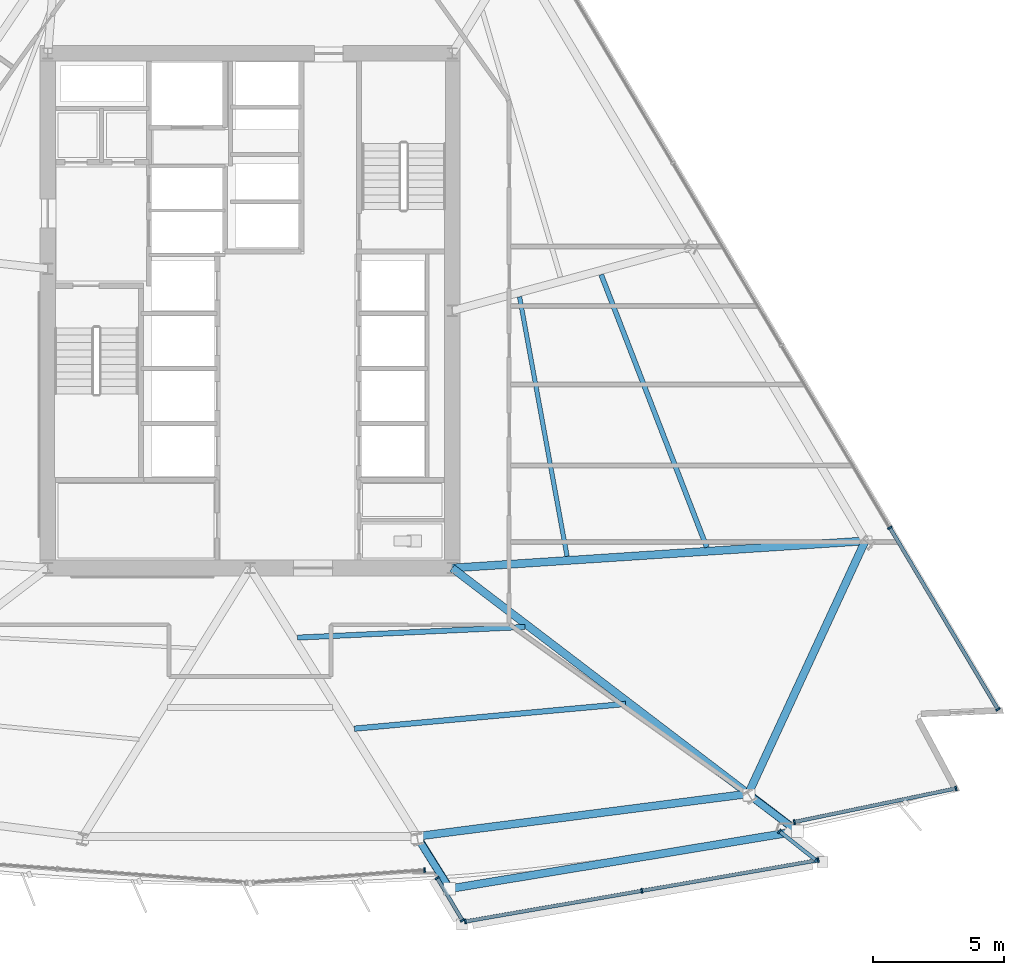
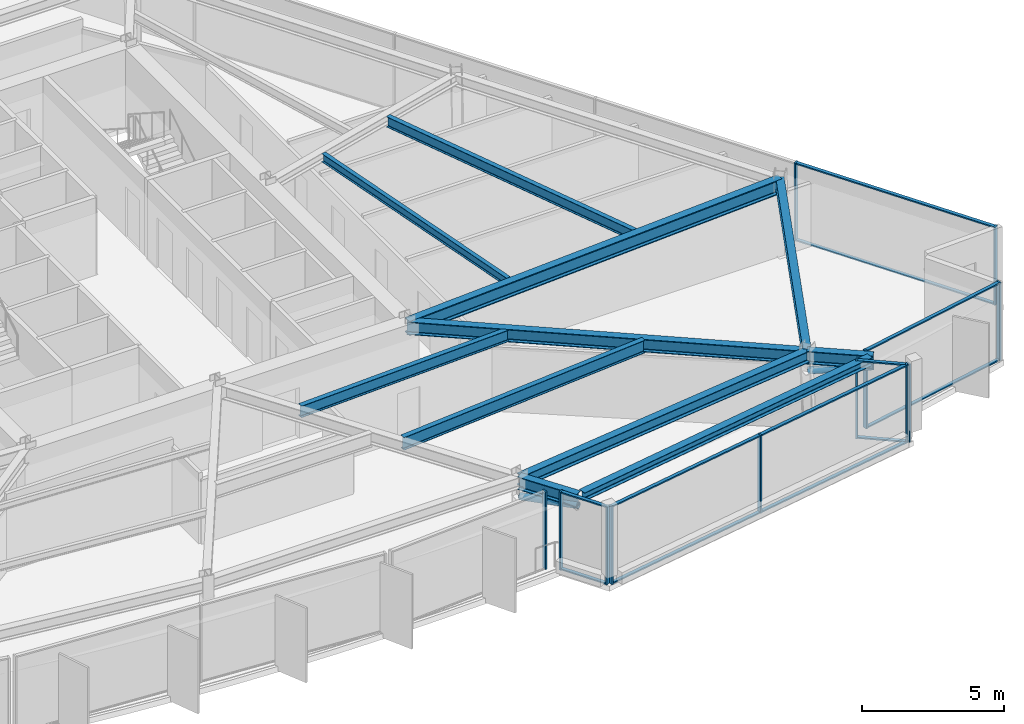
# One storey, part 4 of 15: 26 members, 11 beams, 6 elements without a shape of their own.
"""IFC4 building model written with IfcOpenShell, lengths in metres."""

from ifc_helpers import new_model, si_unit, direction, frame, origin, origin_2d, place, context, subcontext, project, spatial, rectangle, hollow_circle, i_section, extrude, material, material_profile, profile_set, type_object, element, aggregate, save


model = new_model("IFC4")

# Units and contexts
model_context = context("Model", 3, precision=1e-05, world=origin(), true_north=direction((0.0, 1.0)))
body_context = subcontext(model_context, "Body", "Model", "MODEL_VIEW")
ifc_project = project(units=[si_unit("LENGTHUNIT", "METRE"), si_unit("AREAUNIT", "SQUARE_METRE"), si_unit("VOLUMEUNIT", "CUBIC_METRE"), si_unit("PLANEANGLEUNIT", "RADIAN"), si_unit("MASSUNIT", "GRAM", prefix="KILO")], contexts=[model_context])

# Site, building, storey
site_placement = place(None, origin())
site = spatial("IfcSite", under=ifc_project, at=site_placement, CompositionType="ELEMENT")
building_placement = place(site_placement, origin())
building = spatial("IfcBuilding", under=site, at=building_placement, Name="Savorim Split Tower", CompositionType="ELEMENT")
storey_placement = place(building_placement, frame((0.0, 0.0, 93.300048828125)))
storey = spatial("IfcBuildingStorey", under=building, at=storey_placement, Name="L24", CompositionType="ELEMENT", Elevation=93.300048828125)

# Beams
ifc_material_1 = material(Name="Steel S355", Category="steel")
ifc_material_profile_1 = material_profile(ifc_material_1, i_section(OverallWidth=0.169921875, OverallDepth=0.360107421875, WebThickness=0.008056640625, FlangeThickness=0.0126953125, FilletRadius=0.01806640625, at=origin_2d()), Name="IPE 360")
ifc_profile_set_1 = profile_set([ifc_material_profile_1], Name="Steel S355")
beam_type_1 = type_object("IfcBeamType", Name="BM-JST-IPE360", PredefinedType="JOIST", material=ifc_profile_set_1)
beam_1_placement = place(storey_placement, frame((12.074951171875, -8.953125, 3.169921875), z_axis=(-0.180198179148, 0.983630324986, 0.0), x_axis=(-0.983630324986, -0.180198179148, 0.0)))
element("IfcBeam", 1, at=beam_1_placement, inside=storey, type_object=beam_type_1, Name="L24 Secondary Floor Joist JS-08", PredefinedType="JOIST", context=body_context, shape_type="SweptSolid", body=[
    extrude(i_section(OverallWidth=0.169921875, OverallDepth=0.360107421875, WebThickness=0.008056640625, FlangeThickness=0.0126953125, FilletRadius=0.01806640625, at=origin_2d()), origin(), (0.0, 0.0, 1.0), 10.047607421875),
])
ifc_material_profile_2 = material_profile(ifc_material_1, i_section(OverallWidth=0.18994140625, OverallDepth=0.449951171875, WebThickness=0.009521484375, FlangeThickness=0.0146484375, FilletRadius=0.02099609375, at=origin_2d()), Name="IPE 450")
ifc_profile_set_2 = profile_set([ifc_material_profile_2], Name="Steel S355")
beam_type_2 = type_object("IfcBeamType", Name="BM-JST-IPE450", PredefinedType="JOIST", material=ifc_profile_set_2)
beam_2_placement = place(storey_placement, frame((17.393310546875, -8.610107421875, 3.125), z_axis=(-0.36114972536, 0.932507842258, 0.0), x_axis=(-0.932507842258, -0.36114972536, 0.0)))
element("IfcBeam", 2, at=beam_2_placement, inside=storey, type_object=beam_type_2, Name="L24 Secondary Floor Joist JS-06", PredefinedType="JOIST", context=body_context, shape_type="SweptSolid", body=[
    extrude(i_section(OverallWidth=0.18994140625, OverallDepth=0.449951171875, WebThickness=0.009521484375, FlangeThickness=0.0146484375, FilletRadius=0.02099609375, at=origin_2d()), origin(), (0.0, 0.0, 1.0), 11.134521484375),
])
ifc_material_profile_3 = material_profile(ifc_material_1, i_section(OverallWidth=0.199951171875, OverallDepth=0.5, WebThickness=0.01025390625, FlangeThickness=0.01611328125, FilletRadius=0.02099609375, at=origin_2d()), Name="IPE 500")
ifc_profile_set_3 = profile_set([ifc_material_profile_3], Name="Steel S355")
beam_type_3 = type_object("IfcBeamType", Name="BM-JST-IPE500", PredefinedType="JOIST", material=ifc_profile_set_3)
beam_3_placement = place(storey_placement, frame((1.81298828125, -12.04931640625, 3.099853515625), z_axis=(0.99890235083, 0.046841151856, 0.0), x_axis=(-0.046841151856, 0.99890235083, 0.0)))
element("IfcBeam", 3, at=beam_3_placement, inside=storey, type_object=beam_type_3, Name="L24 Secondary Floor Joist JS-05", PredefinedType="JOIST", context=body_context, shape_type="SweptSolid", body=[
    extrude(i_section(OverallWidth=0.199951171875, OverallDepth=0.5, WebThickness=0.01025390625, FlangeThickness=0.01611328125, FilletRadius=0.02099609375, at=origin_2d()), origin(), (0.0, 0.0, 1.0), 8.667724609375),
])
ifc_material_profile_4 = material_profile(ifc_material_1, i_section(OverallWidth=0.2099609375, OverallDepth=0.550048828125, WebThickness=0.010986328125, FlangeThickness=0.01708984375, FilletRadius=0.02392578125, at=origin_2d()), Name="IPE 550")
ifc_profile_set_4 = profile_set([ifc_material_profile_4], Name="Steel S355")
beam_type_4 = type_object("IfcBeamType", Name="BM-JST-IPE550", PredefinedType="JOIST", material=ifc_profile_set_4)
beam_4_placement = place(storey_placement, frame((3.974609375, -15.5166015625, 3.074951171875), z_axis=(0.995860344892, 0.090896498676, 0.0), x_axis=(-0.090896498676, 0.995860344892, 0.0)))
element("IfcBeam", 4, at=beam_4_placement, inside=storey, type_object=beam_type_4, Name="L24 Secondary Floor Joist JS-04", PredefinedType="JOIST", context=body_context, shape_type="SweptSolid", body=[
    extrude(i_section(OverallWidth=0.2099609375, OverallDepth=0.550048828125, WebThickness=0.010986328125, FlangeThickness=0.01708984375, FilletRadius=0.02392578125, at=origin_2d()), origin(), (0.0, 0.0, 1.0), 10.373046875),
])
ifc_material_profile_5 = material_profile(ifc_material_1, i_section(OverallWidth=0.300048828125, OverallDepth=0.550048828125, WebThickness=0.014892578125, FlangeThickness=0.029052734375, FilletRadius=0.027099609375, at=origin_2d()), Name="HEB 550")
ifc_profile_set_5 = profile_set([ifc_material_profile_5], Name="Steel S355")
beam_type_5 = type_object("IfcBeamType", Name="BM-PRI-HEB550", PredefinedType="BEAM", material=ifc_profile_set_5)
beam_5_placement = place(storey_placement, frame((18.973388671875, -17.998779296875, 3.074951171875), z_axis=(-0.795105505779, 0.606471132602, 0.0), x_axis=(-0.606471132602, -0.795105505779, 0.0)))
element("IfcBeam", 5, at=beam_5_placement, inside=storey, type_object=beam_type_5, Name="L24 Primary Floor Girder RG-04", PredefinedType="BEAM", context=body_context, shape_type="SweptSolid", body=[
    extrude(i_section(OverallWidth=0.300048828125, OverallDepth=0.550048828125, WebThickness=0.014892578125, FlangeThickness=0.029052734375, FilletRadius=0.027099609375, at=origin_2d()), origin(), (0.0, 0.0, 1.0), 14.178466796875),
])
for number, where, z_axis, x_axis, name in (
    (6, (6.35888671875, -19.618408203125, 3.074951171875), (0.528345154971, -0.849029679822, 0.0), (0.849029679822, 0.528345154971, 0.0), "L24 Cantilevered Lounge Rib 1"),
    (7, (18.973388671875, -17.998779296875, 3.074951171875), (0.795073852401, -0.606512629076, 0.0), (0.606512629076, 0.795073852401, 0.0), "L24 Cantilevered Lounge Rib 2"),
):
    element("IfcBeam", number, at=place(storey_placement, frame(where, z_axis=z_axis, x_axis=x_axis)), inside=storey, type_object=beam_type_5, Name=name, PredefinedType="BEAM", context=body_context, shape_type="SweptSolid", body=[
        extrude(i_section(OverallWidth=0.300048828125, OverallDepth=0.550048828125, WebThickness=0.014892578125, FlangeThickness=0.029052734375, FilletRadius=0.027099609375, at=origin_2d()), origin(), (0.0, 0.0, 1.0), 2.35009765625),
    ])
ifc_material_2 = material(Name="Steel S460", Category="steel")
ifc_material_profile_6 = material_profile(ifc_material_2, i_section(OverallWidth=0.304931640625, OverallDepth=0.6201171875, WebThickness=0.02099609375, FlangeThickness=0.0400390625, FilletRadius=0.027099609375, at=origin_2d()), Name="HE 600 M")
ifc_profile_set_6 = profile_set([ifc_material_profile_6], Name="Steel S460")
beam_type_6 = type_object("IfcBeamType", Name="BM-PRI-HEM600", PredefinedType="BEAM", material=ifc_profile_set_6)
beam_6_placement = place(storey_placement, frame((23.427734375, -8.366455078125, 3.0400390625), z_axis=(-0.997848169481, -0.065566993704, 0.0), x_axis=(0.065566993704, -0.997848169481, 0.0)))
element("IfcBeam", 8, at=beam_6_placement, inside=storey, type_object=beam_type_6, Name="L24 Primary Floor Girder RG-05", PredefinedType="BEAM", context=body_context, shape_type="SweptSolid", body=[
    extrude(i_section(OverallWidth=0.304931640625, OverallDepth=0.6201171875, WebThickness=0.02099609375, FlangeThickness=0.0400390625, FilletRadius=0.027099609375, at=origin_2d()), origin(), (0.0, 0.0, 1.0), 15.76171875),
])
ifc_material_profile_7 = material_profile(ifc_material_1, i_section(OverallWidth=0.300048828125, OverallDepth=0.35009765625, WebThickness=0.010009765625, FlangeThickness=0.017578125, FilletRadius=0.027099609375, at=origin_2d()), Name="HEA 360")
ifc_profile_set_7 = profile_set([ifc_material_profile_7], Name="Steel S355")
beam_type_7 = type_object("IfcBeamType", Name="BM-SPN-HEA360", PredefinedType="SPANDREL", material=ifc_profile_set_7)
beam_7_placement = place(storey_placement, frame((7.75830078125, -21.587646484375, 3.175048828125), z_axis=(0.986601142922, 0.163150803813, 0.0), x_axis=(-0.163150803813, 0.986601142922, 0.0)))
element("IfcBeam", 9, at=beam_7_placement, inside=storey, type_object=beam_type_7, Name="L24 Cantilevered Lounge Front Edge Beam", PredefinedType="SPANDREL", context=body_context, shape_type="SweptSolid", body=[
    extrude(i_section(OverallWidth=0.300048828125, OverallDepth=0.35009765625, WebThickness=0.010009765625, FlangeThickness=0.017578125, FilletRadius=0.027099609375, at=origin_2d()), origin(), (0.0, 0.0, 1.0), 13.10107421875),
])
ifc_material_profile_8 = material_profile(ifc_material_1, i_section(OverallWidth=0.300048828125, OverallDepth=0.489990234375, WebThickness=0.011962890625, FlangeThickness=0.02294921875, FilletRadius=0.027099609375, at=origin_2d()), Name="HEA 500")
ifc_profile_set_8 = profile_set([ifc_material_profile_8], Name="Steel S355")
beam_type_8 = type_object("IfcBeamType", Name="BM-SPN-HEA500", PredefinedType="SPANDREL", material=ifc_profile_set_8)
beam_8_placement = place(storey_placement, frame((6.35888671875, -19.618408203125, 3.10498046875), z_axis=(0.991857993508, 0.12734881513, 0.0), x_axis=(-0.12734881513, 0.991857993508, 0.0)))
element("IfcBeam", 10, at=beam_8_placement, inside=storey, type_object=beam_type_8, Name="L24 Perimeter Spandrel Beam 3", PredefinedType="SPANDREL", context=body_context, shape_type="SweptSolid", body=[
    extrude(i_section(OverallWidth=0.300048828125, OverallDepth=0.489990234375, WebThickness=0.011962890625, FlangeThickness=0.02294921875, FilletRadius=0.027099609375, at=origin_2d()), origin(), (0.0, 0.0, 1.0), 12.718017578125),
])
beam_9_placement = place(storey_placement, frame((18.973388671875, -17.998779296875, 3.10498046875), z_axis=(0.41973060105, 0.907648733014, 0.0), x_axis=(-0.907648733014, 0.41973060105, 0.0)))
element("IfcBeam", 11, at=beam_9_placement, inside=storey, type_object=beam_type_8, Name="L24 Perimeter Spandrel Beam 4", PredefinedType="SPANDREL", context=body_context, shape_type="SweptSolid", body=[
    extrude(i_section(OverallWidth=0.300048828125, OverallDepth=0.489990234375, WebThickness=0.011962890625, FlangeThickness=0.02294921875, FilletRadius=0.027099609375, at=origin_2d()), origin(), (0.0, 0.0, 1.0), 10.6123046875),
])

# Curtain wall, member
ifc_material_3 = material(Name="Dark Ceramic-Fritted Insulated Glass", Category="glass")
curtain_wall_type_1 = type_object("IfcCurtainWallType", Name="CW-TWR-FRIT-A", PredefinedType="NOTDEFINED", material=ifc_material_3)
curtain_wall_1_placement = place(storey_placement, origin())
curtain_wall_1 = element("IfcCurtainWall", 12, at=curtain_wall_1_placement, inside=storey, type_object=curtain_wall_type_1, Name="L24 Curtain Wall CW-L24-SF3A", PredefinedType="NOTDEFINED")
ifc_material_4 = material(Name="Charcoal Anodised Aluminium", Category="aluminium")
ifc_material_profile_9 = material_profile(ifc_material_4, rectangle(XDim=0.179931640625, YDim=0.06494140625, at=origin_2d()), Name="ALU-M 180x65")
ifc_profile_set_9 = profile_set([ifc_material_profile_9], Name="Charcoal Anodised Aluminium")
member_type_1 = type_object("IfcMemberType", Name="CWM-180x65", PredefinedType="MULLION", material=ifc_profile_set_9)
member_1_placement = place(storey_placement, frame((6.648193359375, -20.903564453125, 0.0), z_axis=(0.0, 0.0, 1.0), x_axis=(-0.071568692624, 0.997435673232, 0.0)))
member_1 = element("IfcMember", 13, at=member_1_placement, type_object=member_type_1, Name="CW-02 mullion 2", PredefinedType="MULLION", context=body_context, shape_type="SweptSolid", body=[
    extrude(rectangle(XDim=0.179931640625, YDim=0.06494140625, at=origin_2d()), origin(), (0.0, 0.0, 1.0), 3.349853515625),
])
aggregate(curtain_wall_1, [member_1])

# Curtain wall, members
curtain_wall_2_placement = place(storey_placement, origin())
curtain_wall_2 = element("IfcCurtainWall", 14, at=curtain_wall_2_placement, inside=storey, type_object=curtain_wall_type_1, Name="L24 Curtain Wall CW-L24-SF4A", PredefinedType="NOTDEFINED")
member_2_placement = place(storey_placement, frame((20.728515625, -19.06982421875, 0.0), z_axis=(0.0, 0.0, 1.0), x_axis=(-0.20321845077, 0.979133423629, 0.0)))
member_2 = element("IfcMember", 15, at=member_2_placement, type_object=member_type_1, Name="CW-02 mullion 1", PredefinedType="MULLION", context=body_context, shape_type="SweptSolid", body=[
    extrude(rectangle(XDim=0.179931640625, YDim=0.06494140625, at=origin_2d()), origin(), (0.0, 0.0, 1.0), 3.349853515625),
])
member_3_placement = place(storey_placement, frame((26.882568359375, -17.792724609375, 0.0), z_axis=(0.0, 0.0, 1.0), x_axis=(-0.20321845077, 0.979133423629, 0.0)))
member_3 = element("IfcMember", 16, at=member_3_placement, type_object=member_type_1, Name="CW-02 mullion 2", PredefinedType="MULLION", context=body_context, shape_type="SweptSolid", body=[
    extrude(rectangle(XDim=0.179931640625, YDim=0.06494140625, at=origin_2d()), origin(), (0.0, 0.0, 1.0), 3.349853515625),
])

curtain_wall_type_2 = type_object("IfcCurtainWallType", Name="CW-BAY-LOUNGE", PredefinedType="NOTDEFINED", material=ifc_material_3)
curtain_wall_3_placement = place(storey_placement, origin())
curtain_wall_3 = element("IfcCurtainWall", 17, at=curtain_wall_3_placement, inside=storey, type_object=curtain_wall_type_2, Name="L24 Curtain Wall CW-L24-BAYF", PredefinedType="NOTDEFINED")
member_4_placement = place(storey_placement, frame((8.201904296875, -22.85791015625, 0.0), z_axis=(0.0, 0.0, 1.0), x_axis=(-0.171191443463, 0.985237783322, 0.0)))
member_4 = element("IfcMember", 18, at=member_4_placement, type_object=member_type_1, Name="CW-04 mullion 1", PredefinedType="MULLION", context=body_context, shape_type="SweptSolid", body=[
    extrude(rectangle(XDim=0.179931640625, YDim=0.06494140625, at=origin_2d()), origin(), (0.0, 0.0, 1.0), 3.349853515625),
])
member_5_placement = place(storey_placement, frame((14.91796875, -21.69091796875, 0.0), z_axis=(0.0, 0.0, 1.0), x_axis=(-0.171191443463, 0.985237783322, 0.0)))
member_5 = element("IfcMember", 19, at=member_5_placement, type_object=member_type_1, Name="CW-04 mullion 2", PredefinedType="MULLION", context=body_context, shape_type="SweptSolid", body=[
    extrude(rectangle(XDim=0.179931640625, YDim=0.06494140625, at=origin_2d()), origin(), (0.0, 0.0, 1.0), 3.349853515625),
])
member_6_placement = place(storey_placement, frame((21.6337890625, -20.524169921875, 0.0), z_axis=(0.0, 0.0, 1.0), x_axis=(-0.171191443463, 0.985237783322, 0.0)))
member_6 = element("IfcMember", 20, at=member_6_placement, type_object=member_type_1, Name="CW-04 mullion 3", PredefinedType="MULLION", context=body_context, shape_type="SweptSolid", body=[
    extrude(rectangle(XDim=0.179931640625, YDim=0.06494140625, at=origin_2d()), origin(), (0.0, 0.0, 1.0), 3.349853515625),
])

curtain_wall_4_placement = place(storey_placement, origin())
curtain_wall_4 = element("IfcCurtainWall", 21, at=curtain_wall_4_placement, inside=storey, type_object=curtain_wall_type_2, Name="L24 Curtain Wall CW-L24-BAYW", PredefinedType="NOTDEFINED")
member_7_placement = place(storey_placement, frame((7.12939453125, -21.20556640625, 0.0), z_axis=(0.0, 0.0, 1.0), x_axis=(0.859722483867, 0.510761442098, 0.0)))
member_7 = element("IfcMember", 22, at=member_7_placement, type_object=member_type_1, Name="CW-04 mullion 1", PredefinedType="MULLION", context=body_context, shape_type="SweptSolid", body=[
    extrude(rectangle(XDim=0.179931640625, YDim=0.06494140625, at=origin_2d()), origin(), (0.0, 0.0, 1.0), 3.349853515625),
])
member_8_placement = place(storey_placement, frame((8.087158203125, -22.817626953125, 0.0), z_axis=(0.0, 0.0, 1.0), x_axis=(0.859722483867, 0.510761442098, 0.0)))
member_8 = element("IfcMember", 23, at=member_8_placement, type_object=member_type_1, Name="CW-04 mullion 2", PredefinedType="MULLION", context=body_context, shape_type="SweptSolid", body=[
    extrude(rectangle(XDim=0.179931640625, YDim=0.06494140625, at=origin_2d()), origin(), (0.0, 0.0, 1.0), 3.349853515625),
])

curtain_wall_5_placement = place(storey_placement, origin())
curtain_wall_5 = element("IfcCurtainWall", 24, at=curtain_wall_5_placement, inside=storey, type_object=curtain_wall_type_2, Name="L24 Curtain Wall CW-L24-BAYE", PredefinedType="NOTDEFINED")
member_9_placement = place(storey_placement, frame((21.552978515625, -20.527099609375, 0.0), z_axis=(0.0, 0.0, 1.0), x_axis=(-0.621806452547, -0.783170949136, 0.0)))
member_9 = element("IfcMember", 25, at=member_9_placement, type_object=member_type_1, Name="CW-04 mullion 1", PredefinedType="MULLION", context=body_context, shape_type="SweptSolid", body=[
    extrude(rectangle(XDim=0.179931640625, YDim=0.06494140625, at=origin_2d()), origin(), (0.0, 0.0, 1.0), 3.349853515625),
])
member_10_placement = place(storey_placement, frame((20.166748046875, -19.426513671875, 0.0), z_axis=(0.0, 0.0, 1.0), x_axis=(-0.621806452547, -0.783170949136, 0.0)))
member_10 = element("IfcMember", 26, at=member_10_placement, type_object=member_type_1, Name="CW-04 mullion 2", PredefinedType="MULLION", context=body_context, shape_type="SweptSolid", body=[
    extrude(rectangle(XDim=0.179931640625, YDim=0.06494140625, at=origin_2d()), origin(), (0.0, 0.0, 1.0), 3.349853515625),
])

curtain_wall_6_placement = place(storey_placement, origin())
curtain_wall_6 = element("IfcCurtainWall", 27, at=curtain_wall_6_placement, inside=storey, type_object=curtain_wall_type_1, Name="L24 Curtain Wall CW-L24-EAST", PredefinedType="NOTDEFINED")
member_11_placement = place(storey_placement, frame((28.480224609375, -14.78173828125, 0.0), z_axis=(0.0, 0.0, 1.0), x_axis=(-0.859524537852, -0.511094481315, 0.0)))
member_11 = element("IfcMember", 28, at=member_11_placement, type_object=member_type_1, Name="CW-02 mullion 1", PredefinedType="MULLION", context=body_context, shape_type="SweptSolid", body=[
    extrude(rectangle(XDim=0.179931640625, YDim=0.06494140625, at=origin_2d()), origin(), (0.0, 0.0, 1.0), 3.349853515625),
])
member_12_placement = place(storey_placement, frame((24.36669921875, -7.864013671875, 0.0), z_axis=(0.0, 0.0, 1.0), x_axis=(-0.859524537852, -0.511094481315, 0.0)))
member_12 = element("IfcMember", 29, at=member_12_placement, type_object=member_type_1, Name="CW-02 mullion 2", PredefinedType="MULLION", context=body_context, shape_type="SweptSolid", body=[
    extrude(rectangle(XDim=0.179931640625, YDim=0.06494140625, at=origin_2d()), origin(), (0.0, 0.0, 1.0), 3.349853515625),
])

# Member
ifc_material_profile_10 = material_profile(ifc_material_4, rectangle(XDim=0.139892578125, YDim=0.054931640625, at=origin_2d()), Name="ALU-T 140x55")
ifc_profile_set_10 = profile_set([ifc_material_profile_10], Name="Charcoal Anodised Aluminium")
member_type_2 = type_object("IfcMemberType", Name="CWT-140x55", PredefinedType="USERDEFINED", material=ifc_profile_set_10)
member_13_placement = place(storey_placement, frame((20.76025390625, -19.063232421875, 0.02734375), z_axis=(0.979139141745, 0.203190898177, 0.0), x_axis=(-0.203190898177, 0.979139141745, 0.0)))
member_13 = element("IfcMember", 30, at=member_13_placement, type_object=member_type_2, Name="CW-02 transom 1.1", ObjectType="TRANSOM", PredefinedType="USERDEFINED", context=body_context, shape_type="SweptSolid", body=[
    extrude(rectangle(XDim=0.139892578125, YDim=0.054931640625, at=origin_2d()), origin(), (0.0, 0.0, 1.0), 6.220458984375),
])

member_14_placement = place(storey_placement, frame((20.76025390625, -19.063232421875, 3.322509765625), z_axis=(0.979139141745, 0.203190898177, 0.0), x_axis=(-0.203190898177, 0.979139141745, 0.0)))
member_14 = element("IfcMember", 31, at=member_14_placement, type_object=member_type_2, Name="CW-02 transom 1.2", ObjectType="TRANSOM", PredefinedType="USERDEFINED", context=body_context, shape_type="SweptSolid", body=[
    extrude(rectangle(XDim=0.139892578125, YDim=0.054931640625, at=origin_2d()), origin(), (0.0, 0.0, 1.0), 6.220458984375),
])

aggregate(curtain_wall_2, [member_2, member_3, member_13, member_14])

member_15_placement = place(storey_placement, frame((8.234130859375, -22.852294921875, 0.02734375), z_axis=(0.985238813406, 0.171185515036, 0.0), x_axis=(-0.171185515036, 0.985238813406, 0.0)))
member_15 = element("IfcMember", 32, at=member_15_placement, type_object=member_type_2, Name="CW-04 transom 1.1", ObjectType="TRANSOM", PredefinedType="USERDEFINED", context=body_context, shape_type="SweptSolid", body=[
    extrude(rectangle(XDim=0.139892578125, YDim=0.054931640625, at=origin_2d()), origin(), (0.0, 0.0, 1.0), 6.75146484375),
])

member_16_placement = place(storey_placement, frame((8.234130859375, -22.852294921875, 3.322509765625), z_axis=(0.985238813406, 0.171185515036, 0.0), x_axis=(-0.171185515036, 0.985238813406, 0.0)))
member_16 = element("IfcMember", 33, at=member_16_placement, type_object=member_type_2, Name="CW-04 transom 1.2", ObjectType="TRANSOM", PredefinedType="USERDEFINED", context=body_context, shape_type="SweptSolid", body=[
    extrude(rectangle(XDim=0.139892578125, YDim=0.054931640625, at=origin_2d()), origin(), (0.0, 0.0, 1.0), 6.75146484375),
])

member_17_placement = place(storey_placement, frame((14.949951171875, -21.685546875, 0.02734375), z_axis=(0.985232713978, 0.171220615895, 0.0), x_axis=(-0.171220615895, 0.985232713978, 0.0)))
member_17 = element("IfcMember", 34, at=member_17_placement, type_object=member_type_2, Name="CW-04 transom 2.1", ObjectType="TRANSOM", PredefinedType="USERDEFINED", context=body_context, shape_type="SweptSolid", body=[
    extrude(rectangle(XDim=0.139892578125, YDim=0.054931640625, at=origin_2d()), origin(), (0.0, 0.0, 1.0), 6.75146484375),
])

member_18_placement = place(storey_placement, frame((14.949951171875, -21.685546875, 3.322509765625), z_axis=(0.985232713978, 0.171220615895, 0.0), x_axis=(-0.171220615895, 0.985232713978, 0.0)))
member_18 = element("IfcMember", 35, at=member_18_placement, type_object=member_type_2, Name="CW-04 transom 2.2", ObjectType="TRANSOM", PredefinedType="USERDEFINED", context=body_context, shape_type="SweptSolid", body=[
    extrude(rectangle(XDim=0.139892578125, YDim=0.054931640625, at=origin_2d()), origin(), (0.0, 0.0, 1.0), 6.75146484375),
])

aggregate(curtain_wall_3, [member_4, member_5, member_6, member_15, member_16, member_17, member_18])

member_19_placement = place(storey_placement, frame((7.14599609375, -21.233642578125, 0.02734375), z_axis=(0.510781805749, -0.859710385488, 0.0), x_axis=(0.859710385488, 0.510781805749, 0.0)))
member_19 = element("IfcMember", 36, at=member_19_placement, type_object=member_type_2, Name="CW-04 transom 1.1", ObjectType="TRANSOM", PredefinedType="USERDEFINED", context=body_context, shape_type="SweptSolid", body=[
    extrude(rectangle(XDim=0.139892578125, YDim=0.054931640625, at=origin_2d()), origin(), (0.0, 0.0, 1.0), 1.81005859375),
])

member_20_placement = place(storey_placement, frame((7.14599609375, -21.233642578125, 3.322509765625), z_axis=(0.510781805749, -0.859710385488, 0.0), x_axis=(0.859710385488, 0.510781805749, 0.0)))
member_20 = element("IfcMember", 37, at=member_20_placement, type_object=member_type_2, Name="CW-04 transom 1.2", ObjectType="TRANSOM", PredefinedType="USERDEFINED", context=body_context, shape_type="SweptSolid", body=[
    extrude(rectangle(XDim=0.139892578125, YDim=0.054931640625, at=origin_2d()), origin(), (0.0, 0.0, 1.0), 1.81005859375),
])

aggregate(curtain_wall_4, [member_7, member_8, member_19, member_20])

member_21_placement = place(storey_placement, frame((21.527587890625, -20.5068359375, 0.02734375), z_axis=(-0.783182634202, 0.621791734815, 0.0), x_axis=(-0.621791734815, -0.783182634202, 0.0)))
member_21 = element("IfcMember", 38, at=member_21_placement, type_object=member_type_2, Name="CW-04 transom 1.1", ObjectType="TRANSOM", PredefinedType="USERDEFINED", context=body_context, shape_type="SweptSolid", body=[
    extrude(rectangle(XDim=0.139892578125, YDim=0.054931640625, at=origin_2d()), origin(), (0.0, 0.0, 1.0), 1.704833984375),
])

member_22_placement = place(storey_placement, frame((21.527587890625, -20.5068359375, 3.322509765625), z_axis=(-0.783182634202, 0.621791734815, 0.0), x_axis=(-0.621791734815, -0.783182634202, 0.0)))
member_22 = element("IfcMember", 39, at=member_22_placement, type_object=member_type_2, Name="CW-04 transom 1.2", ObjectType="TRANSOM", PredefinedType="USERDEFINED", context=body_context, shape_type="SweptSolid", body=[
    extrude(rectangle(XDim=0.139892578125, YDim=0.054931640625, at=origin_2d()), origin(), (0.0, 0.0, 1.0), 1.704833984375),
])

aggregate(curtain_wall_5, [member_9, member_10, member_21, member_22])

member_23_placement = place(storey_placement, frame((28.463623046875, -14.753662109375, 0.02734375), z_axis=(-0.511105313723, 0.859518096542, 0.0), x_axis=(-0.859518096542, -0.511105313723, 0.0)))
member_23 = element("IfcMember", 40, at=member_23_placement, type_object=member_type_2, Name="CW-02 transom 1.1", ObjectType="TRANSOM", PredefinedType="USERDEFINED", context=body_context, shape_type="SweptSolid", body=[
    extrude(rectangle(XDim=0.139892578125, YDim=0.054931640625, at=origin_2d()), origin(), (0.0, 0.0, 1.0), 7.9833984375),
])

member_24_placement = place(storey_placement, frame((28.463623046875, -14.753662109375, 3.322509765625), z_axis=(-0.511105313723, 0.859518096542, 0.0), x_axis=(-0.859518096542, -0.511105313723, 0.0)))
member_24 = element("IfcMember", 41, at=member_24_placement, type_object=member_type_2, Name="CW-02 transom 1.2", ObjectType="TRANSOM", PredefinedType="USERDEFINED", context=body_context, shape_type="SweptSolid", body=[
    extrude(rectangle(XDim=0.139892578125, YDim=0.054931640625, at=origin_2d()), origin(), (0.0, 0.0, 1.0), 7.9833984375),
])

aggregate(curtain_wall_6, [member_11, member_12, member_23, member_24])

# Members
ifc_material_profile_11 = material_profile(ifc_material_1, hollow_circle(Radius=0.136474609375, WallThickness=0.01611328125, at=origin_2d()), Name="CHS 273x16")
ifc_profile_set_11 = profile_set([ifc_material_profile_11], Name="Steel S355")
member_type_3 = type_object("IfcMemberType", Name="MBR-CRN-CHS273", PredefinedType="BRACE", material=ifc_profile_set_11)
member_25_placement = place(storey_placement, frame((6.366943359375, -19.658935546875, 2.449951171875), z_axis=(0.526974613383, -0.835045661856, 0.15810281296), x_axis=(0.845682096953, 0.533686978382, 0.0)))
element("IfcMember", 42, at=member_25_placement, inside=storey, type_object=member_type_3, Name="L24 Cantilevered Bay Support Strut 1", PredefinedType="BRACE", context=body_context, shape_type="SweptSolid", body=[
    extrude(hollow_circle(Radius=0.136474609375, WallThickness=0.01611328125, at=origin_2d()), origin(), (0.0, 0.0, 1.0), 2.341064453125),
])
member_26_placement = place(storey_placement, frame((18.996826171875, -18.037353515625, 2.449951171875), z_axis=(0.78929327114, -0.593249408505, 0.158339102693), x_axis=(0.600828990867, 0.799377585208, 0.0)))
element("IfcMember", 43, at=member_26_placement, inside=storey, type_object=member_type_3, Name="L24 Cantilevered Bay Support Strut 2", PredefinedType="BRACE", context=body_context, shape_type="SweptSolid", body=[
    extrude(hollow_circle(Radius=0.136474609375, WallThickness=0.01611328125, at=origin_2d()), origin(), (0.0, 0.0, 1.0), 2.33740234375),
])

save(model, "model.ifc")
